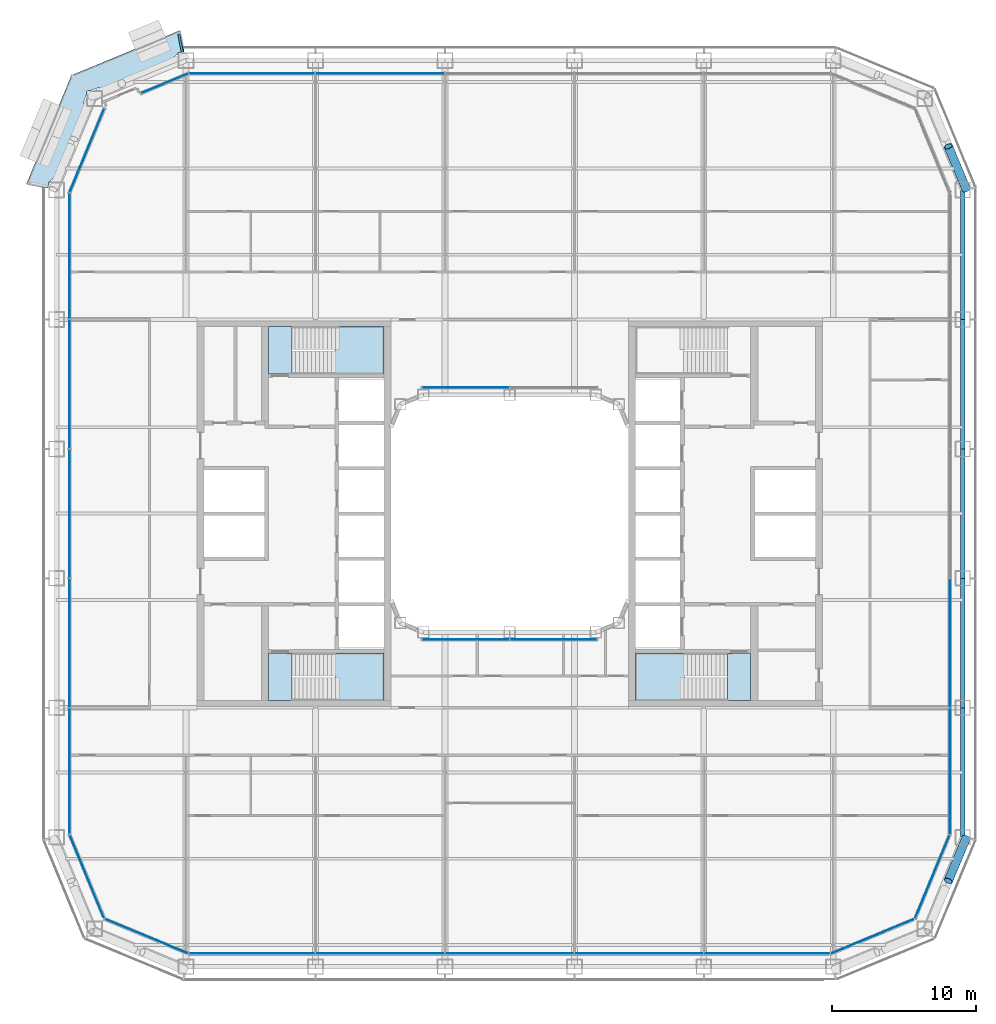
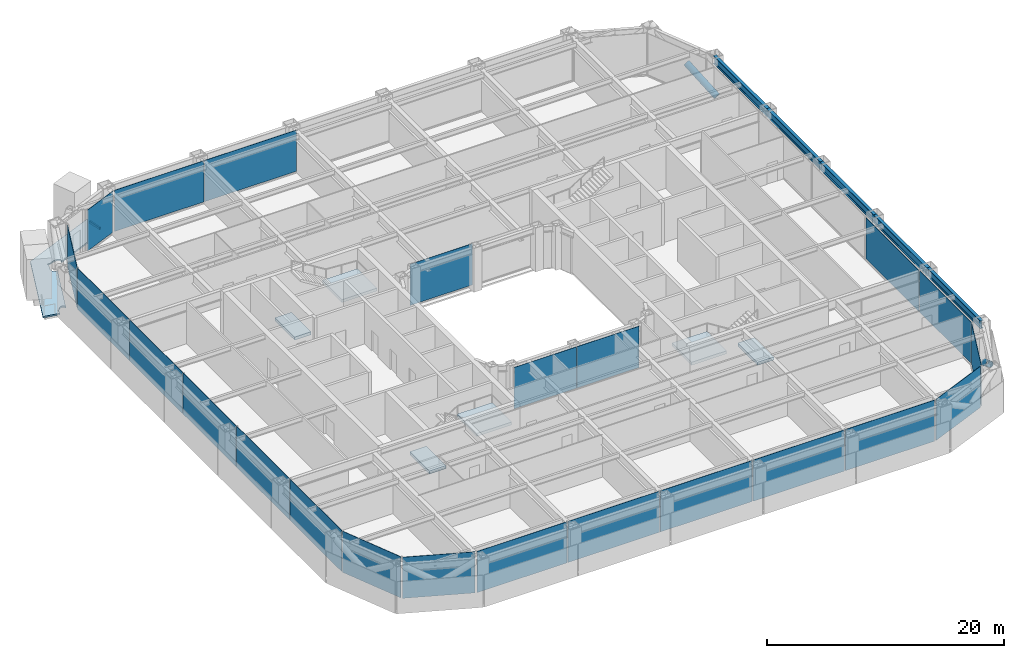
# One storey, part 11 of 29: 23 plates, 7 slabs, 6 beams, 2 members, 15 elements without a shape of their own.
"""IFC4 building model written with IfcOpenShell, lengths in metres."""

from ifc_helpers import new_model, si_unit, direction, frame, origin, origin_2d, place, context, subcontext, project, spatial, polyline, rectangle, hollow_rectangle, hollow_circle, i_section, outline, extrude, material, layer, layer_set, material_profile, profile_set, type_object, element, aggregate, save


model = new_model("IFC4")

# Units and contexts
model_context = context("Model", 3, precision=1e-05, world=origin(), true_north=direction((0.0, 1.0)))
body_context = subcontext(model_context, "Body", "Model", "MODEL_VIEW")
ifc_project = project(units=[si_unit("LENGTHUNIT", "METRE"), si_unit("AREAUNIT", "SQUARE_METRE"), si_unit("VOLUMEUNIT", "CUBIC_METRE"), si_unit("PLANEANGLEUNIT", "RADIAN"), si_unit("MASSUNIT", "GRAM", prefix="KILO")], contexts=[model_context])

# Site, building, storey
site_placement = place(None, origin())
site = spatial("IfcSite", under=ifc_project, at=site_placement, CompositionType="ELEMENT")
building_placement = place(site_placement, origin())
building = spatial("IfcBuilding", under=site, at=building_placement, Name="Siwar Civic Tower", CompositionType="ELEMENT")
storey_placement = place(building_placement, frame((0.0, 0.0, 49.199951171875)))
storey = spatial("IfcBuildingStorey", under=building, at=storey_placement, Name="L10", CompositionType="ELEMENT", Elevation=49.199951171875)

# Beam
ifc_material_1 = material(Name="Steel S355", Category="steel")
ifc_material_profile_1 = material_profile(ifc_material_1, hollow_rectangle(XDim=0.14990234375, YDim=0.25, WallThickness=0.010009765625, at=origin_2d()), Name="RHS250x150x10")
ifc_profile_set_1 = profile_set([ifc_material_profile_1], Name="Steel S355")
beam_type_1 = type_object("IfcBeamType", Name="ENV-BALCONY ARM", PredefinedType="BEAM", material=ifc_profile_set_1)
beam_placement = place(storey_placement, frame((-22.754150390625, 32.059814453125, -0.27490234375), z_axis=(-0.195017144127, 0.980799833553, 0.0), x_axis=(-0.980799833553, -0.195017144127, 0.0)))
element("IfcBeam", 1, at=beam_placement, inside=storey, type_object=beam_type_1, Name="Balcony cantilever beam NW 1", PredefinedType="BEAM", context=body_context, shape_type="SweptSolid", body=[
    extrude(hollow_rectangle(XDim=0.14990234375, YDim=0.25, WallThickness=0.010009765625, at=origin_2d()), origin(), (0.0, 0.0, 1.0), 1.324462890625),
])

# Members
ifc_material_2 = material(Name="Steel S355", Category="steel")
ifc_material_profile_2 = material_profile(ifc_material_2, hollow_circle(Radius=0.304931640625, WallThickness=0.030029296875, at=origin_2d()), Name="CHS610x30")
ifc_profile_set_2 = profile_set([ifc_material_profile_2], Name="Steel S355")
member_type = type_object("IfcMemberType", Name="STR-BR-CHS610x30", PredefinedType="BRACE", material=ifc_profile_set_2)
for number, where, z_axis, x_axis, name in (
    (2, (31.7451171875, -22.548828125, 0.0), (-0.323882123145, -0.777533059308, 0.539020140617), (0.923114847559, -0.384524353215, 0.0), "L10/brc/ASE1-9-0-2"),
    (3, (31.7451171875, 22.548828125, 0.0), (-0.323882123145, 0.777533059308, 0.539020140617), (-0.923114847559, -0.384524353215, 0.0), "L10/brc/ANE1-9-0-4"),
):
    element("IfcMember", number, at=place(storey_placement, frame(where, z_axis=z_axis, x_axis=x_axis)), inside=storey, type_object=member_type, Name=name, PredefinedType="BRACE", context=body_context, shape_type="SweptSolid", body=[
        extrude(hollow_circle(Radius=0.304931640625, WallThickness=0.030029296875, at=origin_2d()), origin(), (0.0, 0.0, 1.0), 3.843505859375),
    ])

# Beams
ifc_material_3 = material(Name="Steel S355", Category="steel")
ifc_material_profile_3 = material_profile(ifc_material_3, i_section(OverallWidth=0.302978515625, OverallDepth=0.81396484375, WebThickness=0.02099609375, FlangeThickness=0.0400390625, FilletRadius=0.030029296875, at=origin_2d()), Name="HEM800")
ifc_profile_set_3 = profile_set([ifc_material_profile_3], Name="Steel S355")
beam_type_2 = type_object("IfcBeamType", Name="STR-SB-HEM800", PredefinedType="BEAM", material=ifc_profile_set_3)
for number, where, z_axis, x_axis, name in (
    (4, (31.5, -22.5, 3.943115234375), (0.0, 1.0, 0.0), (-1.0, 0.0, 0.0), "L10/bm/SE-0"),
    (5, (31.5, -13.5, 3.943115234375), (0.0, 1.0, 0.0), (-1.0, 0.0, 0.0), "L10/bm/SE-1"),
    (6, (31.5, -4.5, 3.943115234375), (0.0, 1.0, 0.0), (-1.0, 0.0, 0.0), "L10/bm/SE-2"),
    (7, (31.5, 4.5, 3.943115234375), (0.0, 1.0, 0.0), (-1.0, 0.0, 0.0), "L10/bm/SE-3"),
    (8, (31.5, 13.5, 3.943115234375), (0.0, 1.0, 0.0), (-1.0, 0.0, 0.0), "L10/bm/SE-4"),
):
    element("IfcBeam", number, at=place(storey_placement, frame(where, z_axis=z_axis, x_axis=x_axis)), inside=storey, type_object=beam_type_2, Name=name, PredefinedType="BEAM", context=body_context, shape_type="SweptSolid", body=[
        extrude(i_section(OverallWidth=0.302978515625, OverallDepth=0.81396484375, WebThickness=0.02099609375, FlangeThickness=0.0400390625, FilletRadius=0.030029296875, at=origin_2d()), origin(), (0.0, 0.0, 1.0), 9.0),
    ])

# Stair, slabs
ifc_material_4 = material(Name="Concrete C40/50", Category="concrete")
stair_type = type_object("IfcStairType", Name="CORE-STAIR", PredefinedType="TWO_STRAIGHT_RUN_STAIR", material=ifc_material_4)
stair_1_placement = place(storey_placement, origin())
stair_1 = element("IfcStair", 9, at=stair_1_placement, inside=storey, type_object=stair_type, Name="Exit stair ST1", PredefinedType="TWO_STRAIGHT_RUN_STAIR")
ifc_material_5 = material(Name="Concrete C40/50", Category="concrete")
ifc_layer_1 = layer(ifc_material_5, 0.300048828125)
ifc_layer_set_1 = layer_set([ifc_layer_1], Name="Concrete C40/50")
slab_type_1 = type_object("IfcSlabType", Name="CORE-STAIR-LANDING", PredefinedType="LANDING", material=ifc_layer_set_1)
slab_1_placement = place(storey_placement, frame((0.0, 0.0, -0.300048828125)))
slab_1 = element("IfcSlab", 10, at=slab_1_placement, type_object=slab_type_1, Name="ST1 landing 1", PredefinedType="LANDING", context=body_context, shape_type="SweptSolid", body=[
    extrude(outline(polyline([(-15.14990234375, 13.0), (-16.75, 13.0), (-16.75, 9.699951171875), (-15.14990234375, 9.699951171875), (-15.14990234375, 13.0)])), origin(), (0.0, 0.0, 1.0), 0.300048828125),
])
slab_2_placement = place(storey_placement, frame((0.0, 0.0, 1.949951171875)))
slab_2 = element("IfcSlab", 11, at=slab_2_placement, type_object=slab_type_1, Name="ST1 landing 2", PredefinedType="LANDING", context=body_context, shape_type="SweptSolid", body=[
    extrude(outline(polyline([(-8.75, 13.0), (-12.139892578125, 13.0), (-12.139892578125, 9.699951171875), (-8.75, 9.699951171875), (-8.75, 13.0)])), origin(), (0.0, 0.0, 1.0), 0.300048828125),
])
aggregate(stair_1, [slab_1, slab_2])

stair_2_placement = place(storey_placement, origin())
stair_2 = element("IfcStair", 12, at=stair_2_placement, inside=storey, type_object=stair_type, Name="Exit stair ST2", PredefinedType="TWO_STRAIGHT_RUN_STAIR")
slab_3_placement = place(storey_placement, frame((0.0, 0.0, -0.300048828125)))
slab_3 = element("IfcSlab", 13, at=slab_3_placement, type_object=slab_type_1, Name="ST2 landing 1", PredefinedType="LANDING", context=body_context, shape_type="SweptSolid", body=[
    extrude(outline(polyline([(-15.14990234375, -9.699951171875), (-16.75, -9.699951171875), (-16.75, -13.0), (-15.14990234375, -13.0), (-15.14990234375, -9.699951171875)])), origin(), (0.0, 0.0, 1.0), 0.300048828125),
])
slab_4_placement = place(storey_placement, frame((0.0, 0.0, 1.949951171875)))
slab_4 = element("IfcSlab", 14, at=slab_4_placement, type_object=slab_type_1, Name="ST2 landing 2", PredefinedType="LANDING", context=body_context, shape_type="SweptSolid", body=[
    extrude(outline(polyline([(-8.75, -9.699951171875), (-12.139892578125, -9.699951171875), (-12.139892578125, -13.0), (-8.75, -13.0), (-8.75, -9.699951171875)])), origin(), (0.0, 0.0, 1.0), 0.300048828125),
])
aggregate(stair_2, [slab_3, slab_4])

stair_3_placement = place(storey_placement, origin())
stair_3 = element("IfcStair", 15, at=stair_3_placement, inside=storey, type_object=stair_type, Name="Exit stair ST4", PredefinedType="TWO_STRAIGHT_RUN_STAIR")
slab_5_placement = place(storey_placement, frame((0.0, 0.0, -0.300048828125)))
slab_5 = element("IfcSlab", 16, at=slab_5_placement, type_object=slab_type_1, Name="ST4 landing 1", PredefinedType="LANDING", context=body_context, shape_type="SweptSolid", body=[
    extrude(outline(polyline([(15.14990234375, -13.0), (16.75, -13.0), (16.75, -9.699951171875), (15.14990234375, -9.699951171875), (15.14990234375, -13.0)])), origin(), (0.0, 0.0, 1.0), 0.300048828125),
])
slab_6_placement = place(storey_placement, frame((0.0, 0.0, 1.949951171875)))
slab_6 = element("IfcSlab", 17, at=slab_6_placement, type_object=slab_type_1, Name="ST4 landing 2", PredefinedType="LANDING", context=body_context, shape_type="SweptSolid", body=[
    extrude(outline(polyline([(8.75, -13.0), (12.139892578125, -13.0), (12.139892578125, -9.699951171875), (8.75, -9.699951171875), (8.75, -13.0)])), origin(), (0.0, 0.0, 1.0), 0.300048828125),
])
aggregate(stair_3, [slab_5, slab_6])

# Slab
ifc_material_6 = material(Name="Concrete C40/50", Category="concrete")
ifc_layer_2 = layer(ifc_material_6, 0.14990234375)
ifc_layer_set_2 = layer_set([ifc_layer_2], Name="Concrete C40/50")
slab_type_2 = type_object("IfcSlabType", Name="ENV-BALCONY DECK 150", PredefinedType="FLOOR", material=ifc_layer_set_2)
slab_7_placement = place(storey_placement, frame((0.0, 0.0, -0.1494140625)))
element("IfcSlab", 18, at=slab_7_placement, inside=storey, type_object=slab_type_2, Name="Tree balcony deck NW", PredefinedType="FLOOR", context=body_context, shape_type="SweptSolid", body=[
    extrude(outline(polyline([(-29.4140625, 29.4140625), (-29.133056640625, 29.4140625), (-28.977294921875, 29.478759765625), (-28.9462890625, 29.49169921875), (-28.891845703125, 29.514404296875), (-28.884033203125, 29.517578125), (-28.881591796875, 29.5185546875), (-28.814208984375, 29.5439453125), (-28.80908203125, 29.545654296875), (-28.739990234375, 29.56591796875), (-28.73486328125, 29.567138671875), (-28.66455078125, 29.58251953125), (-28.6572265625, 29.583984375), (-28.59375, 29.591064453125), (-28.59130859375, 29.59130859375), (-28.51953125, 29.59716796875), (-28.51318359375, 29.597412109375), (-28.506591796875, 29.59716796875), (-28.45068359375, 29.592041015625), (-28.445068359375, 29.59130859375), (-28.389404296875, 29.58203125), (-28.38427734375, 29.5810546875), (-28.32958984375, 29.56787109375), (-28.3232421875, 29.566162109375), (-28.3173828125, 29.56396484375), (-28.271484375, 29.544189453125), (-28.264404296875, 29.540771484375), (-28.2578125, 29.53662109375), (-28.221435546875, 29.5107421875), (-28.216552734375, 29.507080078125), (-28.2119140625, 29.502685546875), (-28.20751953125, 29.498291015625), (-28.180908203125, 29.467041015625), (-28.1767578125, 29.46142578125), (-28.173095703125, 29.45556640625), (-28.169921875, 29.449462890625), (-28.1533203125, 29.413330078125), (-28.151123046875, 29.408447265625), (-28.13720703125, 29.37109375), (-28.135009765625, 29.364501953125), (-28.133544921875, 29.35791015625), (-28.132568359375, 29.35107421875), (-28.129150390625, 29.31005859375), (-28.12890625, 29.3037109375), (-28.129150390625, 29.297607421875), (-28.1298828125, 29.29150390625), (-28.137451171875, 29.247314453125), (-28.13916015625, 29.23974609375), (-28.1416015625, 29.232177734375), (-28.159912109375, 29.185791015625), (-28.16259765625, 29.179931640625), (-28.16552734375, 29.17431640625), (-28.182861328125, 29.14599609375), (-23.210693359375, 31.20556640625), (-23.260986328125, 31.217529296875), (-23.26708984375, 31.21923828125), (-23.273193359375, 31.2216796875), (-23.31884765625, 31.2412109375), (-23.325927734375, 31.244873046875), (-23.332763671875, 31.2490234375), (-23.369140625, 31.274658203125), (-23.3740234375, 31.278564453125), (-23.378662109375, 31.28271484375), (-23.3828125, 31.287353515625), (-23.40966796875, 31.318603515625), (-23.413818359375, 31.323974609375), (-23.41748046875, 31.329833984375), (-23.420654296875, 31.3359375), (-23.437255859375, 31.3720703125), (-23.439453125, 31.376953125), (-23.453369140625, 31.414306640625), (-23.45556640625, 31.4208984375), (-23.45703125, 31.427734375), (-23.4580078125, 31.4345703125), (-23.46142578125, 31.4755859375), (-23.461669921875, 31.481689453125), (-23.461181640625, 31.488037109375), (-23.46044921875, 31.494140625), (-23.453125, 31.5380859375), (-23.451416015625, 31.5458984375), (-23.448974609375, 31.55322265625), (-23.4306640625, 31.599609375), (-23.427978515625, 31.60546875), (-23.4248046875, 31.611083984375), (-23.3955078125, 31.659423828125), (-23.392578125, 31.66357421875), (-23.360107421875, 31.709716796875), (-23.353515625, 31.717529296875), (-23.309814453125, 31.764404296875), (-23.30615234375, 31.76806640625), (-23.25927734375, 31.8115234375), (-23.255126953125, 31.815185546875), (-23.205322265625, 31.85498046875), (-23.198974609375, 31.859619140625), (-23.138671875, 31.898681640625), (-23.134033203125, 31.9013671875), (-23.07080078125, 31.93603515625), (-23.06591796875, 31.9384765625), (-23.050048828125, 31.94580078125), (-23.050048828125, 32.050048828125), (-22.80517578125, 32.050048828125), (-22.70263671875, 32.0927734375), (-22.69482421875, 32.095947265625), (-22.69482421875, 32.095947265625), (-22.688232421875, 32.098388671875), (-22.662109375, 32.1064453125), (-22.6552734375, 32.108154296875), (-22.648193359375, 32.109375), (-22.621826171875, 32.1123046875), (-22.917724609375, 33.60009765625), (-30.47119140625, 30.47119140625), (-33.60009765625, 22.917724609375), (-32.1083984375, 22.62109375), (-32.1083984375, 22.6259765625), (-32.107421875, 22.6484375), (-32.107421875, 22.649658203125), (-32.107421875, 22.6513671875), (-32.10693359375, 22.655029296875), (-32.106689453125, 22.656982421875), (-32.1064453125, 22.65771484375), (-32.1064453125, 22.658447265625), (-32.104736328125, 22.66552734375), (-32.098876953125, 22.686279296875), (-32.095947265625, 22.69482421875), (-32.0927734375, 22.70263671875), (-32.085693359375, 22.719970703125), (-32.0830078125, 22.72607421875), (-32.0732421875, 22.749267578125), (-32.0693359375, 22.7587890625), (-32.050048828125, 22.80517578125), (-32.050048828125, 23.050048828125), (-31.94580078125, 23.050048828125), (-31.9384765625, 23.06591796875), (-31.93603515625, 23.07080078125), (-31.9013671875, 23.134033203125), (-31.898681640625, 23.138671875), (-31.859619140625, 23.198974609375), (-31.85498046875, 23.205322265625), (-31.815185546875, 23.255126953125), (-31.8115234375, 23.25927734375), (-31.76806640625, 23.30615234375), (-31.764404296875, 23.309814453125), (-31.717529296875, 23.353515625), (-31.709716796875, 23.360107421875), (-31.66357421875, 23.392578125), (-31.659423828125, 23.3955078125), (-31.611083984375, 23.4248046875), (-31.60546875, 23.427978515625), (-31.599609375, 23.4306640625), (-31.55322265625, 23.448974609375), (-31.5458984375, 23.451416015625), (-31.5380859375, 23.453125), (-31.494140625, 23.46044921875), (-31.488037109375, 23.461181640625), (-31.481689453125, 23.461669921875), (-31.4755859375, 23.46142578125), (-31.4345703125, 23.4580078125), (-31.427734375, 23.45703125), (-31.4208984375, 23.45556640625), (-31.414306640625, 23.453369140625), (-31.376953125, 23.439453125), (-31.3720703125, 23.437255859375), (-31.3359375, 23.420654296875), (-31.329833984375, 23.41748046875), (-31.323974609375, 23.413818359375), (-31.318603515625, 23.40966796875), (-31.287353515625, 23.3828125), (-31.28271484375, 23.378662109375), (-31.278564453125, 23.3740234375), (-31.274658203125, 23.369140625), (-31.2490234375, 23.332763671875), (-31.244873046875, 23.325927734375), (-31.2412109375, 23.31884765625), (-31.2216796875, 23.273193359375), (-31.21923828125, 23.26708984375), (-31.217529296875, 23.260986328125), (-31.20556640625, 23.210693359375), (-29.14599609375, 28.182861328125), (-29.17431640625, 28.16552734375), (-29.179931640625, 28.16259765625), (-29.185791015625, 28.159912109375), (-29.232177734375, 28.1416015625), (-29.23974609375, 28.13916015625), (-29.247314453125, 28.137451171875), (-29.29150390625, 28.1298828125), (-29.297607421875, 28.129150390625), (-29.3037109375, 28.12890625), (-29.31005859375, 28.129150390625), (-29.35107421875, 28.132568359375), (-29.35791015625, 28.133544921875), (-29.364501953125, 28.135009765625), (-29.37109375, 28.13720703125), (-29.408447265625, 28.151123046875), (-29.413330078125, 28.1533203125), (-29.449462890625, 28.169921875), (-29.45556640625, 28.173095703125), (-29.46142578125, 28.1767578125), (-29.467041015625, 28.180908203125), (-29.498291015625, 28.20751953125), (-29.502685546875, 28.2119140625), (-29.507080078125, 28.216552734375), (-29.5107421875, 28.221435546875), (-29.53662109375, 28.2578125), (-29.540771484375, 28.264404296875), (-29.544189453125, 28.271484375), (-29.56396484375, 28.3173828125), (-29.566162109375, 28.3232421875), (-29.56787109375, 28.32958984375), (-29.5810546875, 28.38427734375), (-29.58203125, 28.389404296875), (-29.59130859375, 28.445068359375), (-29.592041015625, 28.45068359375), (-29.59716796875, 28.506591796875), (-29.597412109375, 28.51318359375), (-29.59716796875, 28.51953125), (-29.59130859375, 28.59130859375), (-29.591064453125, 28.59375), (-29.583984375, 28.6572265625), (-29.58251953125, 28.66455078125), (-29.567138671875, 28.73486328125), (-29.56591796875, 28.739990234375), (-29.545654296875, 28.80908203125), (-29.5439453125, 28.814208984375), (-29.5185546875, 28.881591796875), (-29.517578125, 28.884033203125), (-29.514404296875, 28.891845703125), (-29.49169921875, 28.9462890625), (-29.478759765625, 28.977294921875), (-29.425537109375, 29.10546875), (-29.420654296875, 29.116943359375), (-29.4140625, 29.133056640625), (-29.4140625, 29.4140625)])), origin(), (0.0, 0.0, 1.0), 0.1494140625),
])

# Curtain wall, plates
ifc_material_7 = material(Name="Aluminium and glass", Category="aluminium")
ifc_layer_3 = layer(ifc_material_7, 0.219970703125)
ifc_layer_set_3 = layer_set([ifc_layer_3], Name="Aluminium and glass")
curtain_wall_type_1 = type_object("IfcCurtainWallType", Name="ENV-CW-A", PredefinedType="NOTDEFINED", material=ifc_layer_set_3)
curtain_wall_1_placement = place(storey_placement, origin())
curtain_wall_1 = element("IfcCurtainWall", 19, at=curtain_wall_1_placement, inside=storey, type_object=curtain_wall_type_1, Name="Curtain wall A S", PredefinedType="NOTDEFINED")
ifc_material_8 = material(Name="Glass clear laminated", Category="glass")
ifc_layer_4 = layer(ifc_material_8, 0.035888671875)
ifc_layer_set_4 = layer_set([ifc_layer_4], Name="Glass clear laminated")
plate_type_1 = type_object("IfcPlateType", Name="ENV-PANEL-A", PredefinedType="CURTAIN_PANEL", material=ifc_layer_set_4)
plate_1_placement = place(storey_placement, frame((-17.910400390625, -30.60009765625, 0.1201171875), z_axis=(0.0, 0.0, 1.0), x_axis=(1.0, 0.0, 0.0)))
plate_1 = element("IfcPlate", 20, at=plate_1_placement, type_object=plate_type_1, Name="Curtain panel A S 1", PredefinedType="CURTAIN_PANEL", context=body_context, shape_type="SweptSolid", body=[
    extrude(rectangle(XDim=8.7509765625, YDim=0.035888671875, at=origin_2d()), origin(), (0.0, 0.0, 1.0), 4.22998046875),
])
plate_2_placement = place(storey_placement, frame((-9.0, -30.60009765625, 0.1201171875), z_axis=(0.0, 0.0, 1.0), x_axis=(1.0, 0.0, 0.0)))
plate_2 = element("IfcPlate", 21, at=plate_2_placement, type_object=plate_type_1, Name="Curtain panel A S 2", PredefinedType="CURTAIN_PANEL", context=body_context, shape_type="SweptSolid", body=[
    extrude(rectangle(XDim=8.929931640625, YDim=0.035888671875, at=origin_2d()), origin(), (0.0, 0.0, 1.0), 4.22998046875),
])
plate_3_placement = place(storey_placement, frame((0.0, -30.60009765625, 0.1201171875), z_axis=(0.0, 0.0, 1.0), x_axis=(1.0, 0.0, 0.0)))
plate_3 = element("IfcPlate", 22, at=plate_3_placement, type_object=plate_type_1, Name="Curtain panel A S 3", PredefinedType="CURTAIN_PANEL", context=body_context, shape_type="SweptSolid", body=[
    extrude(rectangle(XDim=8.929931640625, YDim=0.035888671875, at=origin_2d()), origin(), (0.0, 0.0, 1.0), 4.22998046875),
])
plate_4_placement = place(storey_placement, frame((9.0, -30.60009765625, 0.1201171875), z_axis=(0.0, 0.0, 1.0), x_axis=(1.0, 0.0, 0.0)))
plate_4 = element("IfcPlate", 23, at=plate_4_placement, type_object=plate_type_1, Name="Curtain panel A S 4", PredefinedType="CURTAIN_PANEL", context=body_context, shape_type="SweptSolid", body=[
    extrude(rectangle(XDim=8.929931640625, YDim=0.035888671875, at=origin_2d()), origin(), (0.0, 0.0, 1.0), 4.22998046875),
])
plate_5_placement = place(storey_placement, frame((17.86669921875, -30.60009765625, 0.1201171875), z_axis=(0.0, 0.0, 1.0), x_axis=(1.0, 0.0, 0.0)))
plate_5 = element("IfcPlate", 24, at=plate_5_placement, type_object=plate_type_1, Name="Curtain panel A S 5", PredefinedType="CURTAIN_PANEL", context=body_context, shape_type="SweptSolid", body=[
    extrude(rectangle(XDim=8.663330078125, YDim=0.035888671875, at=origin_2d()), origin(), (0.0, 0.0, 1.0), 4.22998046875),
])
aggregate(curtain_wall_1, [plate_1, plate_2, plate_3, plate_4, plate_5])

curtain_wall_2_placement = place(storey_placement, origin())
curtain_wall_2 = element("IfcCurtainWall", 25, at=curtain_wall_2_placement, inside=storey, type_object=curtain_wall_type_1, Name="Curtain wall A E", PredefinedType="NOTDEFINED")
plate_6_placement = place(storey_placement, frame((30.60009765625, -17.910400390625, 0.1201171875), z_axis=(0.0, 0.0, 1.0), x_axis=(0.0, 1.0, 0.0)))
plate_6 = element("IfcPlate", 26, at=plate_6_placement, type_object=plate_type_1, Name="Curtain panel A E 1", PredefinedType="CURTAIN_PANEL", context=body_context, shape_type="SweptSolid", body=[
    extrude(rectangle(XDim=8.7509765625, YDim=0.035888671875, at=origin_2d()), origin(), (0.0, 0.0, 1.0), 4.22998046875),
])
plate_7_placement = place(storey_placement, frame((30.60009765625, -9.0, 0.1201171875), z_axis=(0.0, 0.0, 1.0), x_axis=(0.0, 1.0, 0.0)))
plate_7 = element("IfcPlate", 27, at=plate_7_placement, type_object=plate_type_1, Name="Curtain panel A E 2", PredefinedType="CURTAIN_PANEL", context=body_context, shape_type="SweptSolid", body=[
    extrude(rectangle(XDim=8.929931640625, YDim=0.035888671875, at=origin_2d()), origin(), (0.0, 0.0, 1.0), 4.22998046875),
])
aggregate(curtain_wall_2, [plate_6, plate_7])

curtain_wall_3_placement = place(storey_placement, origin())
curtain_wall_3 = element("IfcCurtainWall", 28, at=curtain_wall_3_placement, inside=storey, type_object=curtain_wall_type_1, Name="Curtain wall A N", PredefinedType="NOTDEFINED")
plate_8_placement = place(storey_placement, frame((-9.0, 30.60009765625, 0.1201171875), z_axis=(0.0, 0.0, 1.0), x_axis=(-1.0, 0.0, 0.0)))
plate_8 = element("IfcPlate", 29, at=plate_8_placement, type_object=plate_type_1, Name="Curtain panel A N 4", PredefinedType="CURTAIN_PANEL", context=body_context, shape_type="SweptSolid", body=[
    extrude(rectangle(XDim=8.929931640625, YDim=0.035888671875, at=origin_2d()), origin(), (0.0, 0.0, 1.0), 4.22998046875),
])
plate_9_placement = place(storey_placement, frame((-17.86669921875, 30.60009765625, 0.1201171875), z_axis=(0.0, 0.0, 1.0), x_axis=(-1.0, 0.0, 0.0)))
plate_9 = element("IfcPlate", 30, at=plate_9_placement, type_object=plate_type_1, Name="Curtain panel A N 5", PredefinedType="CURTAIN_PANEL", context=body_context, shape_type="SweptSolid", body=[
    extrude(rectangle(XDim=8.663330078125, YDim=0.035888671875, at=origin_2d()), origin(), (0.0, 0.0, 1.0), 4.22998046875),
])
aggregate(curtain_wall_3, [plate_8, plate_9])

curtain_wall_4_placement = place(storey_placement, origin())
curtain_wall_4 = element("IfcCurtainWall", 31, at=curtain_wall_4_placement, inside=storey, type_object=curtain_wall_type_1, Name="Curtain wall A W", PredefinedType="NOTDEFINED")
plate_10_placement = place(storey_placement, frame((-30.60009765625, 17.910400390625, 0.1201171875), z_axis=(0.0, 0.0, 1.0), x_axis=(0.0, -1.0, 0.0)))
plate_10 = element("IfcPlate", 32, at=plate_10_placement, type_object=plate_type_1, Name="Curtain panel A W 1", PredefinedType="CURTAIN_PANEL", context=body_context, shape_type="SweptSolid", body=[
    extrude(rectangle(XDim=8.7509765625, YDim=0.035888671875, at=origin_2d()), origin(), (0.0, 0.0, 1.0), 4.22998046875),
])
plate_11_placement = place(storey_placement, frame((-30.60009765625, 9.0, 0.1201171875), z_axis=(0.0, 0.0, 1.0), x_axis=(0.0, -1.0, 0.0)))
plate_11 = element("IfcPlate", 33, at=plate_11_placement, type_object=plate_type_1, Name="Curtain panel A W 2", PredefinedType="CURTAIN_PANEL", context=body_context, shape_type="SweptSolid", body=[
    extrude(rectangle(XDim=8.929931640625, YDim=0.035888671875, at=origin_2d()), origin(), (0.0, 0.0, 1.0), 4.22998046875),
])
plate_12_placement = place(storey_placement, frame((-30.60009765625, 0.0, 0.1201171875), z_axis=(0.0, 0.0, 1.0), x_axis=(0.0, -1.0, 0.0)))
plate_12 = element("IfcPlate", 34, at=plate_12_placement, type_object=plate_type_1, Name="Curtain panel A W 3", PredefinedType="CURTAIN_PANEL", context=body_context, shape_type="SweptSolid", body=[
    extrude(rectangle(XDim=8.929931640625, YDim=0.035888671875, at=origin_2d()), origin(), (0.0, 0.0, 1.0), 4.22998046875),
])
plate_13_placement = place(storey_placement, frame((-30.60009765625, -9.0, 0.1201171875), z_axis=(0.0, 0.0, 1.0), x_axis=(0.0, -1.0, 0.0)))
plate_13 = element("IfcPlate", 35, at=plate_13_placement, type_object=plate_type_1, Name="Curtain panel A W 4", PredefinedType="CURTAIN_PANEL", context=body_context, shape_type="SweptSolid", body=[
    extrude(rectangle(XDim=8.929931640625, YDim=0.035888671875, at=origin_2d()), origin(), (0.0, 0.0, 1.0), 4.22998046875),
])
plate_14_placement = place(storey_placement, frame((-30.60009765625, -17.86669921875, 0.1201171875), z_axis=(0.0, 0.0, 1.0), x_axis=(0.0, -1.0, 0.0)))
plate_14 = element("IfcPlate", 36, at=plate_14_placement, type_object=plate_type_1, Name="Curtain panel A W 5", PredefinedType="CURTAIN_PANEL", context=body_context, shape_type="SweptSolid", body=[
    extrude(rectangle(XDim=8.663330078125, YDim=0.035888671875, at=origin_2d()), origin(), (0.0, 0.0, 1.0), 4.22998046875),
])
aggregate(curtain_wall_4, [plate_10, plate_11, plate_12, plate_13, plate_14])

# Curtain wall, plate
ifc_material_9 = material(Name="Aluminium clad insulated panel", Category="aluminium")
ifc_layer_5 = layer(ifc_material_9, 0.219970703125)
ifc_layer_set_5 = layer_set([ifc_layer_5], Name="Aluminium clad insulated panel")
curtain_wall_type_2 = type_object("IfcCurtainWallType", Name="ENV-CW-AX", PredefinedType="NOTDEFINED", material=ifc_layer_set_5)
curtain_wall_5_placement = place(storey_placement, origin())
curtain_wall_5 = element("IfcCurtainWall", 37, at=curtain_wall_5_placement, inside=storey, type_object=curtain_wall_type_2, Name="Curtain wall A SE1", PredefinedType="NOTDEFINED")
ifc_material_10 = material(Name="Aluminium clad insulated panel", Category="aluminium")
ifc_layer_6 = layer(ifc_material_10, 0.035888671875)
ifc_layer_set_6 = layer_set([ifc_layer_6], Name="Aluminium clad insulated panel")
plate_type_2 = type_object("IfcPlateType", Name="ENV-PANEL-AX", PredefinedType="CURTAIN_PANEL", material=ifc_layer_set_6)
plate_15_placement = place(storey_placement, frame((25.20751953125, -29.404296875, 0.1201171875), z_axis=(0.0, 0.0, 1.0), x_axis=(0.923879532511, 0.382683432365, 0.0)))
plate_15 = element("IfcPlate", 38, at=plate_15_placement, type_object=plate_type_2, Name="Curtain panel A SE1 1", PredefinedType="CURTAIN_PANEL", context=body_context, shape_type="SweptSolid", body=[
    extrude(rectangle(XDim=6.178955078125, YDim=0.035888671875, at=origin_2d()), origin(), (0.0, 0.0, 1.0), 4.22998046875),
])
aggregate(curtain_wall_5, [plate_15])

curtain_wall_6_placement = place(storey_placement, origin())
curtain_wall_6 = element("IfcCurtainWall", 39, at=curtain_wall_6_placement, inside=storey, type_object=curtain_wall_type_2, Name="Curtain wall A SE2", PredefinedType="NOTDEFINED")
plate_16_placement = place(storey_placement, frame((29.370849609375, -25.28857421875, 0.1201171875), z_axis=(0.0, 0.0, 1.0), x_axis=(0.382683432365, 0.923879532511, 0.0)))
plate_16 = element("IfcPlate", 40, at=plate_16_placement, type_object=plate_type_2, Name="Curtain panel A SE2 1", PredefinedType="CURTAIN_PANEL", context=body_context, shape_type="SweptSolid", body=[
    extrude(rectangle(XDim=6.178955078125, YDim=0.035888671875, at=origin_2d()), origin(), (0.0, 0.0, 1.0), 4.22998046875),
])
aggregate(curtain_wall_6, [plate_16])

curtain_wall_7_placement = place(storey_placement, origin())
curtain_wall_7 = element("IfcCurtainWall", 41, at=curtain_wall_7_placement, inside=storey, type_object=curtain_wall_type_2, Name="Curtain wall A NW1", PredefinedType="NOTDEFINED")
plate_17_placement = place(storey_placement, frame((-23.9873046875, 29.90966796875, 0.1201171875), z_axis=(0.0, 0.0, 1.0), x_axis=(-0.923879532511, -0.382683432365, 0.0)))
plate_17 = element("IfcPlate", 42, at=plate_17_placement, type_object=plate_type_2, Name="Curtain panel A NW1 1", PredefinedType="CURTAIN_PANEL", context=body_context, shape_type="SweptSolid", body=[
    extrude(rectangle(XDim=3.537353515625, YDim=0.035888671875, at=origin_2d()), origin(), (0.0, 0.0, 1.0), 4.22998046875),
])
aggregate(curtain_wall_7, [plate_17])

curtain_wall_8_placement = place(storey_placement, origin())
curtain_wall_8 = element("IfcCurtainWall", 43, at=curtain_wall_8_placement, inside=storey, type_object=curtain_wall_type_2, Name="Curtain wall A NW2", PredefinedType="NOTDEFINED")
plate_18_placement = place(storey_placement, frame((-29.370849609375, 25.28857421875, 0.1201171875), z_axis=(0.0, 0.0, 1.0), x_axis=(-0.382683432365, -0.923879532511, 0.0)))
plate_18 = element("IfcPlate", 44, at=plate_18_placement, type_object=plate_type_2, Name="Curtain panel A NW2 1", PredefinedType="CURTAIN_PANEL", context=body_context, shape_type="SweptSolid", body=[
    extrude(rectangle(XDim=6.178955078125, YDim=0.035888671875, at=origin_2d()), origin(), (0.0, 0.0, 1.0), 4.22998046875),
])
aggregate(curtain_wall_8, [plate_18])

curtain_wall_9_placement = place(storey_placement, origin())
curtain_wall_9 = element("IfcCurtainWall", 45, at=curtain_wall_9_placement, inside=storey, type_object=curtain_wall_type_2, Name="Curtain wall A SW1", PredefinedType="NOTDEFINED")
plate_19_placement = place(storey_placement, frame((-29.404296875, -25.20751953125, 0.1201171875), z_axis=(0.0, 0.0, 1.0), x_axis=(0.382683432365, -0.923879532511, 0.0)))
plate_19 = element("IfcPlate", 46, at=plate_19_placement, type_object=plate_type_2, Name="Curtain panel A SW1 1", PredefinedType="CURTAIN_PANEL", context=body_context, shape_type="SweptSolid", body=[
    extrude(rectangle(XDim=6.178955078125, YDim=0.035888671875, at=origin_2d()), origin(), (0.0, 0.0, 1.0), 4.22998046875),
])
aggregate(curtain_wall_9, [plate_19])

curtain_wall_10_placement = place(storey_placement, origin())
curtain_wall_10 = element("IfcCurtainWall", 47, at=curtain_wall_10_placement, inside=storey, type_object=curtain_wall_type_2, Name="Curtain wall A SW2", PredefinedType="NOTDEFINED")
plate_20_placement = place(storey_placement, frame((-25.28857421875, -29.370849609375, 0.1201171875), z_axis=(0.0, 0.0, 1.0), x_axis=(0.923879532511, -0.382683432365, 0.0)))
plate_20 = element("IfcPlate", 48, at=plate_20_placement, type_object=plate_type_2, Name="Curtain panel A SW2 1", PredefinedType="CURTAIN_PANEL", context=body_context, shape_type="SweptSolid", body=[
    extrude(rectangle(XDim=6.178955078125, YDim=0.035888671875, at=origin_2d()), origin(), (0.0, 0.0, 1.0), 4.22998046875),
])
aggregate(curtain_wall_10, [plate_20])

# Curtain wall, plates
ifc_material_11 = material(Name="Aluminium and glass", Category="aluminium")
ifc_layer_7 = layer(ifc_material_11, 0.179931640625)
ifc_layer_set_7 = layer_set([ifc_layer_7], Name="Aluminium and glass")
curtain_wall_type_3 = type_object("IfcCurtainWallType", Name="ENV-CW-W", PredefinedType="NOTDEFINED", material=ifc_layer_set_7)
curtain_wall_11_placement = place(storey_placement, origin())
curtain_wall_11 = element("IfcCurtainWall", 49, at=curtain_wall_11_placement, inside=storey, type_object=curtain_wall_type_3, Name="Curtain wall W WS", PredefinedType="NOTDEFINED")
ifc_material_12 = material(Name="Glass clear laminated", Category="glass")
ifc_layer_8 = layer(ifc_material_12, 0.031982421875)
ifc_layer_set_8 = layer_set([ifc_layer_8], Name="Glass clear laminated")
plate_type_3 = type_object("IfcPlateType", Name="ENV-PANEL-W", PredefinedType="CURTAIN_PANEL", material=ifc_layer_set_8)
plate_21_placement = place(storey_placement, frame((-3.05078125, -8.760009765625, 0.10009765625), z_axis=(0.0, 0.0, 1.0), x_axis=(1.0, 0.0, 0.0)))
plate_21 = element("IfcPlate", 50, at=plate_21_placement, type_object=plate_type_3, Name="Curtain panel W WS 1", PredefinedType="CURTAIN_PANEL", context=body_context, shape_type="SweptSolid", body=[
    extrude(rectangle(XDim=6.04150390625, YDim=0.031982421875, at=origin_2d()), origin(), (0.0, 0.0, 1.0), 4.25),
])
plate_22_placement = place(storey_placement, frame((3.05078125, -8.760009765625, 0.10009765625), z_axis=(0.0, 0.0, 1.0), x_axis=(1.0, 0.0, 0.0)))
plate_22 = element("IfcPlate", 51, at=plate_22_placement, type_object=plate_type_3, Name="Curtain panel W WS 2", PredefinedType="CURTAIN_PANEL", context=body_context, shape_type="SweptSolid", body=[
    extrude(rectangle(XDim=6.04150390625, YDim=0.031982421875, at=origin_2d()), origin(), (0.0, 0.0, 1.0), 4.25),
])
aggregate(curtain_wall_11, [plate_21, plate_22])

# Curtain wall, plate
curtain_wall_12_placement = place(storey_placement, origin())
curtain_wall_12 = element("IfcCurtainWall", 52, at=curtain_wall_12_placement, inside=storey, type_object=curtain_wall_type_3, Name="Curtain wall W WN", PredefinedType="NOTDEFINED")
plate_23_placement = place(storey_placement, frame((-3.05078125, 8.760009765625, 0.10009765625), z_axis=(0.0, 0.0, 1.0), x_axis=(-1.0, 0.0, 0.0)))
plate_23 = element("IfcPlate", 53, at=plate_23_placement, type_object=plate_type_3, Name="Curtain panel W WN 2", PredefinedType="CURTAIN_PANEL", context=body_context, shape_type="SweptSolid", body=[
    extrude(rectangle(XDim=6.04150390625, YDim=0.031982421875, at=origin_2d()), origin(), (0.0, 0.0, 1.0), 4.25),
])
aggregate(curtain_wall_12, [plate_23])

save(model, "model.ifc")
